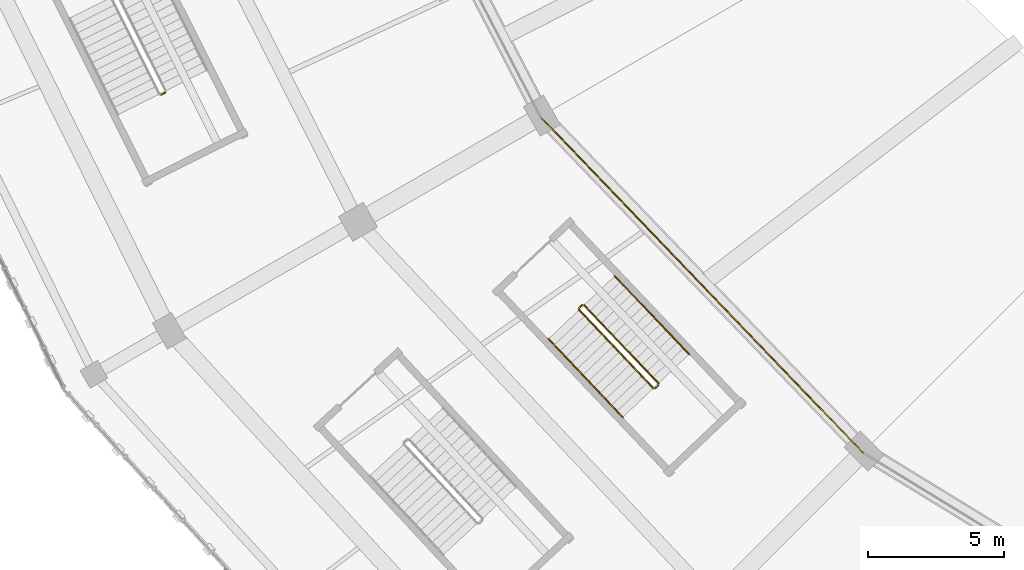
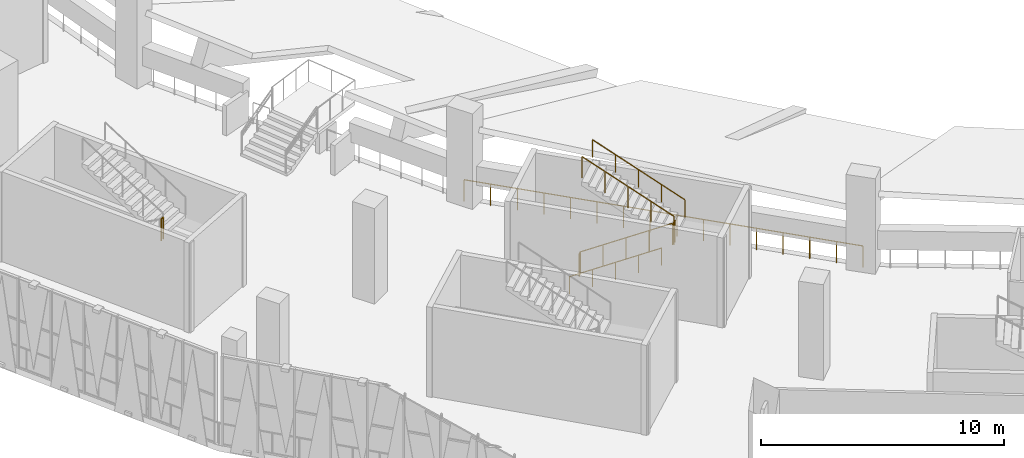
# One storey, part 131 of 183: 8 railings.
"""IFC4 building model written with IfcOpenShell, lengths in metres."""

from ifc_helpers import new_model, si_unit, direction, frame, origin, origin_2d, place, context, subcontext, project, spatial, circle, extrude, material, type_object, element, save


model = new_model("IFC4")

# Units and contexts
model_context = context("Model", 3, precision=1e-05, world=origin(), true_north=direction((0.0, 1.0)))
body_context = subcontext(model_context, "Body", "Model", "MODEL_VIEW")
ifc_project = project(units=[si_unit("LENGTHUNIT", "METRE"), si_unit("AREAUNIT", "SQUARE_METRE"), si_unit("VOLUMEUNIT", "CUBIC_METRE"), si_unit("PLANEANGLEUNIT", "RADIAN"), si_unit("MASSUNIT", "GRAM", prefix="KILO")], contexts=[model_context])

# Site, building, storey
site_placement = place(None, origin())
site = spatial("IfcSite", under=ifc_project, at=site_placement, CompositionType="ELEMENT")
building_placement = place(site_placement, origin())
building = spatial("IfcBuilding", under=site, at=building_placement, Name="Zevraka Park Crest Stadium", CompositionType="ELEMENT")
storey_placement = place(building_placement, frame((0.0, 0.0, 5.39990234375)))
storey = spatial("IfcBuildingStorey", under=building, at=storey_placement, Name="L01", CompositionType="ELEMENT", Elevation=5.39990234375)

# Railings
ifc_material_1 = material(Name="Galvanised and bronze-finished steel balustrade", Category="steel")
railing_type_1 = type_object("IfcRailingType", Name="GR01", PredefinedType="GUARDRAIL", material=ifc_material_1)
railing_1_placement = place(storey_placement, frame((47.429931640625, 62.201904296875, 0.0)))
element("IfcRailing", 1, at=railing_1_placement, inside=storey, type_object=railing_type_1, Name="Deck Edge Protection Guardrail GR01 L01-105", PredefinedType="GUARDRAIL", context=body_context, shape_type="SweptSolid", body=[
    extrude(circle(Radius=0.02392578125, at=origin_2d()), frame((0.0, 0.0, 1.076171875), z_axis=(0.692837746023, -0.721093515216, 0.0), x_axis=(0.721093515216, 0.692837746023, 0.0)), (0.0, 0.0, 1.0), 17.090576171875),
    extrude(circle(Radius=0.02099609375, at=origin_2d()), origin(), (0.0, 0.0, 1.0), 1.052001953125),
    extrude(circle(Radius=0.02099609375, at=origin_2d()), frame((0.789306640625, -0.821533203125, 0.0)), (0.0, 0.0, 1.0), 1.052001953125),
    extrude(circle(Radius=0.02099609375, at=origin_2d()), frame((1.578857421875, -1.643310546875, 0.0)), (0.0, 0.0, 1.0), 1.052001953125),
    extrude(circle(Radius=0.02099609375, at=origin_2d()), frame((2.3681640625, -2.46484375, 0.0)), (0.0, 0.0, 1.0), 1.052001953125),
    extrude(circle(Radius=0.02099609375, at=origin_2d()), frame((3.15771484375, -3.286376953125, 0.0)), (0.0, 0.0, 1.0), 1.052001953125),
    extrude(circle(Radius=0.02099609375, at=origin_2d()), frame((3.947021484375, -4.10791015625, 0.0)), (0.0, 0.0, 1.0), 1.052001953125),
    extrude(circle(Radius=0.02099609375, at=origin_2d()), frame((4.736328125, -4.9296875, 0.0)), (0.0, 0.0, 1.0), 1.052001953125),
    extrude(circle(Radius=0.02099609375, at=origin_2d()), frame((5.52587890625, -5.751220703125, 0.0)), (0.0, 0.0, 1.0), 1.052001953125),
    extrude(circle(Radius=0.02099609375, at=origin_2d()), frame((6.315185546875, -6.57275390625, 0.0)), (0.0, 0.0, 1.0), 1.052001953125),
    extrude(circle(Radius=0.02099609375, at=origin_2d()), frame((7.104736328125, -7.394287109375, 0.0)), (0.0, 0.0, 1.0), 1.052001953125),
    extrude(circle(Radius=0.02099609375, at=origin_2d()), frame((7.89404296875, -8.216064453125, 0.0)), (0.0, 0.0, 1.0), 1.052001953125),
    extrude(circle(Radius=0.02099609375, at=origin_2d()), frame((8.683349609375, -9.03759765625, 0.0)), (0.0, 0.0, 1.0), 1.052001953125),
    extrude(circle(Radius=0.02099609375, at=origin_2d()), frame((9.472900390625, -9.859130859375, 0.0)), (0.0, 0.0, 1.0), 1.052001953125),
    extrude(circle(Radius=0.02099609375, at=origin_2d()), frame((10.26220703125, -10.6806640625, 0.0)), (0.0, 0.0, 1.0), 1.052001953125),
    extrude(circle(Radius=0.02099609375, at=origin_2d()), frame((11.0517578125, -11.50244140625, 0.0)), (0.0, 0.0, 1.0), 1.052001953125),
    extrude(circle(Radius=0.02099609375, at=origin_2d()), frame((11.841064453125, -12.323974609375, 0.0)), (0.0, 0.0, 1.0), 1.052001953125),
])
ifc_material_2 = material(Name="Powder-coated tubular steel stairwell guard", Category="steel")
railing_type_2 = type_object("IfcRailingType", Name="GR03", PredefinedType="GUARDRAIL", material=ifc_material_2)
railing_2_placement = place(storey_placement, frame((33.49658203125, 63.019287109375, 2.400146484375)))
element("IfcRailing", 2, at=railing_2_placement, inside=storey, type_object=railing_type_2, Name="L01 ST14 stair guard 2", PredefinedType="GUARDRAIL", context=body_context, shape_type="SweptSolid", body=[
    extrude(circle(Radius=0.02392578125, at=origin_2d()), frame((0.0, 0.0, 1.076171875), z_axis=(0.893816245171, 0.44843340628, 0.0), x_axis=(-0.44843340628, 0.893816245171, 0.0)), (0.0, 0.0, 1.0), 0.16015625),
    extrude(circle(Radius=0.02099609375, at=origin_2d()), origin(), (0.0, 0.0, 1.0), 1.052001953125),
    extrude(circle(Radius=0.02099609375, at=origin_2d()), frame((0.14306640625, 0.07177734375, 0.0)), (0.0, 0.0, 1.0), 1.052001953125),
])
railing_3_placement = place(storey_placement, frame((48.844970703125, 55.114013671875, 0.171630859375)))
element("IfcRailing", 3, at=railing_3_placement, inside=storey, type_object=railing_type_2, Name="L01 ST40 stair guard 1", PredefinedType="GUARDRAIL", context=body_context, shape_type="SweptSolid", body=[
    extrude(circle(Radius=0.02392578125, at=origin_2d()), frame((0.0, 0.0, 1.076171875), z_axis=(0.600048934609, -0.632362152127, 0.489958553995), x_axis=(0.725397477, 0.688330226244, 0.0)), (0.0, 0.0, 1.0), 4.54833984375),
    extrude(circle(Radius=0.02099609375, at=origin_2d()), origin(), (0.0, 0.0, 1.0), 1.052001953125),
    extrude(circle(Radius=0.02099609375, at=origin_2d()), frame((0.682373046875, -0.718994140625, 0.55712890625)), (0.0, 0.0, 1.0), 1.052001953125),
    extrude(circle(Radius=0.02099609375, at=origin_2d()), frame((1.36474609375, -1.43798828125, 1.1142578125)), (0.0, 0.0, 1.0), 1.052001953125),
    extrude(circle(Radius=0.02099609375, at=origin_2d()), frame((2.046875, -2.1572265625, 1.67138671875)), (0.0, 0.0, 1.0), 1.052001953125),
    extrude(circle(Radius=0.02099609375, at=origin_2d()), frame((2.729248046875, -2.876220703125, 2.228515625)), (0.0, 0.0, 1.0), 1.052001953125),
])
railing_4_placement = place(storey_placement, frame((51.64501953125, 52.236083984375, 2.400146484375)))
element("IfcRailing", 4, at=railing_4_placement, inside=storey, type_object=railing_type_2, Name="L01 ST40 stair guard 2", PredefinedType="GUARDRAIL", context=body_context, shape_type="SweptSolid", body=[
    extrude(circle(Radius=0.02392578125, at=origin_2d()), frame((0.0, 0.0, 1.076171875), z_axis=(0.725189994535, 0.688548815863, 0.0), x_axis=(-0.688548815863, 0.725189994535, 0.0)), (0.0, 0.0, 1.0), 0.159912109375),
    extrude(circle(Radius=0.02099609375, at=origin_2d()), origin(), (0.0, 0.0, 1.0), 1.052001953125),
    extrude(circle(Radius=0.02099609375, at=origin_2d()), frame((0.115966796875, 0.110107421875, 0.0)), (0.0, 0.0, 1.0), 1.052001953125),
])
railing_5_placement = place(storey_placement, frame((51.762939453125, 52.416748046875, 2.571533203125)))
element("IfcRailing", 5, at=railing_5_placement, inside=storey, type_object=railing_type_2, Name="L01 ST40 stair guard 3", PredefinedType="GUARDRAIL", context=body_context, shape_type="SweptSolid", body=[
    extrude(circle(Radius=0.02392578125, at=origin_2d()), frame((0.0, 0.0, 1.076171875), z_axis=(-0.600048934609, 0.632362152127, 0.489958553995), x_axis=(-0.725397477, -0.688330226244, 0.0)), (0.0, 0.0, 1.0), 4.54833984375),
    extrude(circle(Radius=0.02099609375, at=origin_2d()), origin(), (0.0, 0.0, 1.0), 1.052001953125),
    extrude(circle(Radius=0.02099609375, at=origin_2d()), frame((-0.682373046875, 0.718994140625, 0.55712890625)), (0.0, 0.0, 1.0), 1.052001953125),
    extrude(circle(Radius=0.02099609375, at=origin_2d()), frame((-1.36474609375, 1.43798828125, 1.1142578125)), (0.0, 0.0, 1.0), 1.052001953125),
    extrude(circle(Radius=0.02099609375, at=origin_2d()), frame((-2.046875, 2.1572265625, 1.67138671875)), (0.0, 0.0, 1.0), 1.052001953125),
    extrude(circle(Radius=0.02099609375, at=origin_2d()), frame((-2.729248046875, 2.876220703125, 2.228515625)), (0.0, 0.0, 1.0), 1.052001953125),
])
railing_6_placement = place(storey_placement, frame((48.846923828125, 55.184814453125, 0.0)))
element("IfcRailing", 6, at=railing_6_placement, inside=storey, type_object=railing_type_2, Name="L01 ST40 stair guard 4", PredefinedType="GUARDRAIL", context=body_context, shape_type="SweptSolid", body=[
    extrude(circle(Radius=0.02392578125, at=origin_2d()), frame((0.0, 0.0, 1.076171875), z_axis=(0.725189994535, 0.688548815863, 0.0), x_axis=(-0.688548815863, 0.725189994535, 0.0)), (0.0, 0.0, 1.0), 0.159912109375),
    extrude(circle(Radius=0.02099609375, at=origin_2d()), origin(), (0.0, 0.0, 1.0), 1.052001953125),
    extrude(circle(Radius=0.02099609375, at=origin_2d()), frame((0.115966796875, 0.110107421875, 0.0)), (0.0, 0.0, 1.0), 1.052001953125),
])
ifc_material_3 = material(Name="Brushed stainless steel continuous handrail", Category="steel")
railing_type_3 = type_object("IfcRailingType", Name="HR01", PredefinedType="HANDRAIL", material=ifc_material_3)
railing_7_placement = place(storey_placement, frame((47.720703125, 54.047119140625, 0.171630859375)))
element("IfcRailing", 7, at=railing_7_placement, inside=storey, type_object=railing_type_3, Name="L01 ST40 stair handrail 1", PredefinedType="HANDRAIL", context=body_context, shape_type="SweptSolid", body=[
    extrude(circle(Radius=0.02392578125, at=origin_2d()), frame((0.0, 0.0, 0.8759765625), z_axis=(0.600048934609, -0.632362152127, 0.489958553995), x_axis=(0.725397477, 0.688330226244, 0.0)), (0.0, 0.0, 1.0), 4.54833984375),
    extrude(circle(Radius=0.02099609375, at=origin_2d()), origin(), (0.0, 0.0, 1.0), 0.851806640625),
    extrude(circle(Radius=0.02099609375, at=origin_2d()), frame((0.682373046875, -0.718994140625, 0.55712890625)), (0.0, 0.0, 1.0), 0.851806640625),
    extrude(circle(Radius=0.02099609375, at=origin_2d()), frame((1.36474609375, -1.43798828125, 1.1142578125)), (0.0, 0.0, 1.0), 0.851806640625),
    extrude(circle(Radius=0.02099609375, at=origin_2d()), frame((2.046875, -2.1572265625, 1.67138671875)), (0.0, 0.0, 1.0), 0.851806640625),
    extrude(circle(Radius=0.02099609375, at=origin_2d()), frame((2.729248046875, -2.876220703125, 2.228515625)), (0.0, 0.0, 1.0), 0.851806640625),
])
railing_8_placement = place(storey_placement, frame((52.88720703125, 53.483642578125, 2.571533203125)))
element("IfcRailing", 8, at=railing_8_placement, inside=storey, type_object=railing_type_3, Name="L01 ST40 stair handrail 2", PredefinedType="HANDRAIL", context=body_context, shape_type="SweptSolid", body=[
    extrude(circle(Radius=0.02392578125, at=origin_2d()), frame((0.0, 0.0, 0.8759765625), z_axis=(-0.600048934609, 0.632362152127, 0.489958553995), x_axis=(-0.725397477, -0.688330226244, 0.0)), (0.0, 0.0, 1.0), 4.54833984375),
    extrude(circle(Radius=0.02099609375, at=origin_2d()), origin(), (0.0, 0.0, 1.0), 0.851806640625),
    extrude(circle(Radius=0.02099609375, at=origin_2d()), frame((-0.682373046875, 0.718994140625, 0.55712890625)), (0.0, 0.0, 1.0), 0.851806640625),
    extrude(circle(Radius=0.02099609375, at=origin_2d()), frame((-1.36474609375, 1.43798828125, 1.1142578125)), (0.0, 0.0, 1.0), 0.851806640625),
    extrude(circle(Radius=0.02099609375, at=origin_2d()), frame((-2.046875, 2.1572265625, 1.67138671875)), (0.0, 0.0, 1.0), 0.851806640625),
    extrude(circle(Radius=0.02099609375, at=origin_2d()), frame((-2.729248046875, 2.876220703125, 2.228515625)), (0.0, 0.0, 1.0), 0.851806640625),
])

save(model, "model.ifc")
